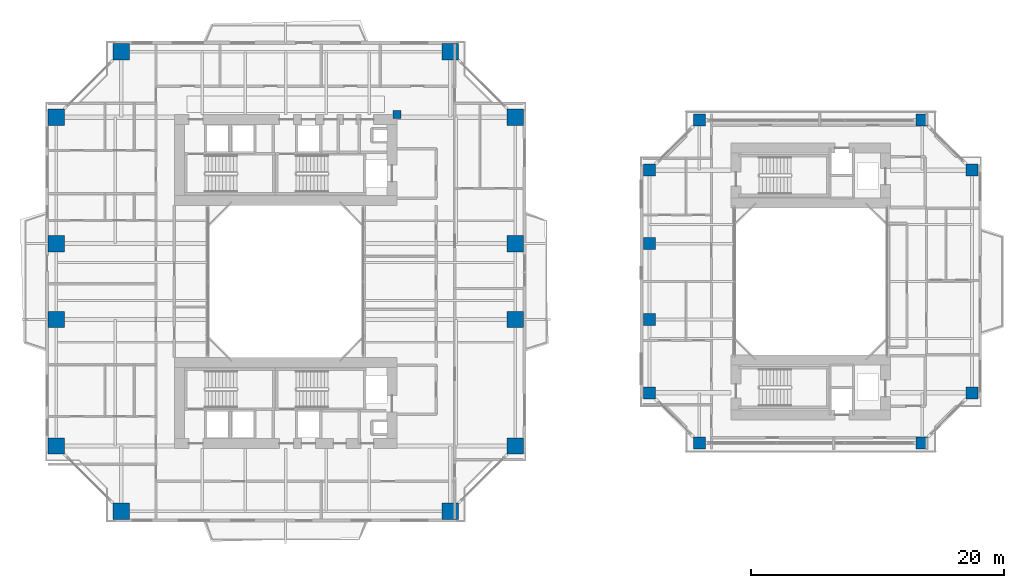
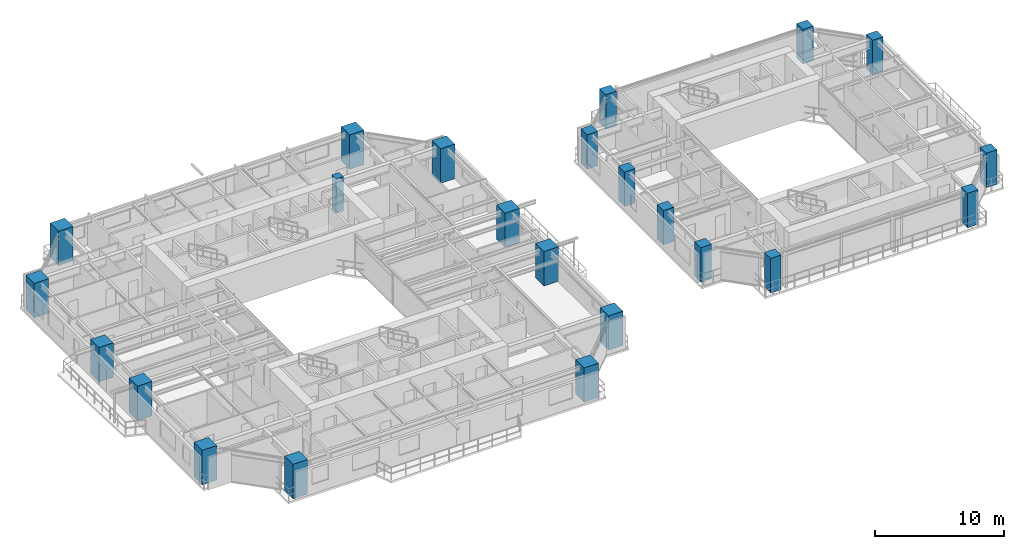
# One storey, part 1 of 23: 23 columns.
"""IFC4 building model written with IfcOpenShell, lengths in metres."""

from ifc_helpers import new_model, si_unit, direction, frame, origin, origin_2d, place, context, subcontext, project, spatial, rectangle, extrude, source, transform, mapped, material, material_profile, profile_set, type_object, element, save


model = new_model("IFC4")

# Units and contexts
model_context = context("Model", 3, precision=1e-05, world=origin(), true_north=direction((0.0, 1.0)))
body_context = subcontext(model_context, "Body", "Model", "MODEL_VIEW")
ifc_project = project(units=[si_unit("LENGTHUNIT", "METRE"), si_unit("AREAUNIT", "SQUARE_METRE"), si_unit("VOLUMEUNIT", "CUBIC_METRE"), si_unit("PLANEANGLEUNIT", "RADIAN"), si_unit("MASSUNIT", "GRAM", prefix="KILO"), si_unit("THERMODYNAMICTEMPERATUREUNIT", "KELVIN"), si_unit("POWERUNIT", "WATT")], contexts=[model_context])

# Site, building, storey
site_placement = place(None, origin())
site = spatial("IfcSite", under=ifc_project, at=site_placement, CompositionType="ELEMENT")
building_placement = place(site_placement, origin())
building = spatial("IfcBuilding", under=site, at=building_placement, Name="Qiaomeng Ring Towers", CompositionType="ELEMENT")
storey_placement = place(building_placement, frame((0.0, 0.0, 60.0)))
storey = spatial("IfcBuildingStorey", under=building, at=storey_placement, Name="L16", CompositionType="ELEMENT", Elevation=60.0)

# Columns
ifc_material_1 = material(Name="Concrete C50", Category="concrete")
ifc_material_profile_1 = material_profile(ifc_material_1, rectangle(XDim=0.64990234375, YDim=0.64990234375, at=origin_2d()), Name="RC COL 650x650")
ifc_profile_set_1 = profile_set([ifc_material_profile_1], Name="Concrete C50")
column_type_1 = type_object("IfcColumnType", Name="STR-PIL-650", PredefinedType="PILASTER", material=ifc_profile_set_1)
shared_shape_1 = source(origin(), body_context, "Body", "SweptSolid", [
    extrude(rectangle(XDim=0.64990234375, YDim=0.64990234375, at=origin_2d()), origin(), (0.0, 0.0, 1.0), 3.25),
])
column_placement = place(storey_placement, frame((27.800048828125, 36.199951171875, 0.0), z_axis=(0.0, 0.0, 1.0), x_axis=(1.0, 0.0, 0.0)))
element("IfcColumn", 1, at=column_placement, inside=storey, type_object=column_type_1, Name="L16 column STR-PIL-L16-N", PredefinedType="PILASTER", context=body_context, shape_type="MappedRepresentation", body=[
    mapped(shared_shape_1, transform((0.0, 0.0, 0.0), x_axis=(1.0, 0.0, 0.0), y_axis=(0.0, 1.0, 0.0), z_axis=(0.0, 0.0, 1.0), scale=1.0)),
])
ifc_material_2 = material(Name="Concrete C60", Category="concrete")
ifc_material_profile_2 = material_profile(ifc_material_2, rectangle(XDim=1.300048828125, YDim=1.300048828125, at=origin_2d()), Name="RC COL 1300x1300")
ifc_profile_set_2 = profile_set([ifc_material_profile_2], Name="Concrete C60")
column_type_2 = type_object("IfcColumnType", Name="STR-COL-1300", PredefinedType="COLUMN", material=ifc_profile_set_2)
shared_shape_2 = source(origin(), body_context, "Body", "SweptSolid", [
    extrude(rectangle(XDim=1.300048828125, YDim=1.300048828125, at=origin_2d()), origin(), (0.0, 0.0, 1.0), 3.25),
])
for number, where, z_axis, x_axis, name in (
    (2, (6.0, 4.85009765625, 0.0), (0.0, 0.0, 1.0), (1.0, 0.0, 0.0), "L16 column STR-COL-L16-T1-S1"),
    (3, (32.0, 4.85009765625, 0.0), (0.0, 0.0, 1.0), (1.0, 0.0, 0.0), "L16 column STR-COL-L16-T1-S2"),
    (4, (37.14990234375, 10.0, 0.0), (0.0, 0.0, 1.0), (1.0, 0.0, 0.0), "L16 column STR-COL-L16-T1-E1"),
    (5, (37.14990234375, 20.0, 0.0), (0.0, 0.0, 1.0), (1.0, 0.0, 0.0), "L16 column STR-COL-L16-T1-E2"),
    (6, (37.14990234375, 26.0, 0.0), (0.0, 0.0, 1.0), (1.0, 0.0, 0.0), "L16 column STR-COL-L16-T1-E3"),
    (7, (37.14990234375, 36.0, 0.0), (0.0, 0.0, 1.0), (1.0, 0.0, 0.0), "L16 column STR-COL-L16-T1-E4"),
    (8, (32.0, 41.14990234375, 0.0), (0.0, 0.0, 1.0), (1.0, 0.0, 0.0), "L16 column STR-COL-L16-T1-N2"),
    (9, (6.0, 41.14990234375, 0.0), (0.0, 0.0, 1.0), (1.0, 0.0, 0.0), "L16 column STR-COL-L16-T1-N1"),
    (10, (0.85009765625, 36.0, 0.0), (0.0, 0.0, 1.0), (1.0, 0.0, 0.0), "L16 column STR-COL-L16-T1-W4"),
    (11, (0.85009765625, 26.0, 0.0), (0.0, 0.0, 1.0), (1.0, 0.0, 0.0), "L16 column STR-COL-L16-T1-W3"),
    (12, (0.85009765625, 20.0, 0.0), (0.0, 0.0, 1.0), (1.0, 0.0, 0.0), "L16 column STR-COL-L16-T1-W2"),
    (13, (0.85009765625, 10.0, 0.0), (0.0, 0.0, 1.0), (1.0, 0.0, 0.0), "L16 column STR-COL-L16-T1-W1"),
):
    element("IfcColumn", number, at=place(storey_placement, frame(where, z_axis=z_axis, x_axis=x_axis)), inside=storey, type_object=column_type_2, Name=name, PredefinedType="COLUMN", context=body_context, shape_type="MappedRepresentation", body=[
        mapped(shared_shape_2, transform((0.0, 0.0, 0.0), x_axis=(1.0, 0.0, 0.0), y_axis=(0.0, 1.0, 0.0), z_axis=(0.0, 0.0, 1.0), scale=1.0)),
    ])
ifc_material_profile_3 = material_profile(ifc_material_2, rectangle(XDim=0.949951171875, YDim=0.949951171875, at=origin_2d()), Name="RC COL 950x950")
ifc_profile_set_3 = profile_set([ifc_material_profile_3], Name="Concrete C60")
column_type_3 = type_object("IfcColumnType", Name="STR-COL-950-C60", PredefinedType="COLUMN", material=ifc_profile_set_3)
shared_shape_3 = source(origin(), body_context, "Body", "SweptSolid", [
    extrude(rectangle(XDim=0.949951171875, YDim=0.949951171875, at=origin_2d()), origin(), (0.0, 0.0, 1.0), 3.25),
])
for number, where, z_axis, x_axis, name in (
    (14, (51.699951171875, 10.25, 0.0), (0.0, 0.0, 1.0), (1.0, 0.0, 0.0), "L16 column STR-COL-L16-T2-S1"),
    (15, (69.300048828125, 10.25, 0.0), (0.0, 0.0, 1.0), (1.0, 0.0, 0.0), "L16 column STR-COL-L16-T2-S2"),
    (16, (73.25, 14.199951171875, 0.0), (0.0, 0.0, 1.0), (1.0, 0.0, 0.0), "L16 column STR-COL-L16-T2-E1"),
    (17, (73.25, 31.800048828125, 0.0), (0.0, 0.0, 1.0), (1.0, 0.0, 0.0), "L16 column STR-COL-L16-T2-E2"),
    (18, (69.300048828125, 35.75, 0.0), (0.0, 0.0, 1.0), (1.0, 0.0, 0.0), "L16 column STR-COL-L16-T2-N2"),
    (19, (51.699951171875, 35.75, 0.0), (0.0, 0.0, 1.0), (1.0, 0.0, 0.0), "L16 column STR-COL-L16-T2-N1"),
    (20, (47.75, 14.199951171875, 0.0), (0.0, 0.0, 1.0), (1.0, 0.0, 0.0), "L16 column STR-COL-L16-T2-W1"),
    (21, (47.75, 20.0, 0.0), (0.0, 0.0, 1.0), (1.0, 0.0, 0.0), "L16 column STR-COL-L16-T2-W2"),
    (22, (47.75, 26.0, 0.0), (0.0, 0.0, 1.0), (1.0, 0.0, 0.0), "L16 column STR-COL-L16-T2-W3"),
    (23, (47.75, 31.800048828125, 0.0), (0.0, 0.0, 1.0), (1.0, 0.0, 0.0), "L16 column STR-COL-L16-T2-W4"),
):
    element("IfcColumn", number, at=place(storey_placement, frame(where, z_axis=z_axis, x_axis=x_axis)), inside=storey, type_object=column_type_3, Name=name, PredefinedType="COLUMN", context=body_context, shape_type="MappedRepresentation", body=[
        mapped(shared_shape_3, transform((0.0, 0.0, 0.0), x_axis=(1.0, 0.0, 0.0), y_axis=(0.0, 1.0, 0.0), z_axis=(0.0, 0.0, 1.0), scale=1.0)),
    ])

save(model, "model.ifc")
